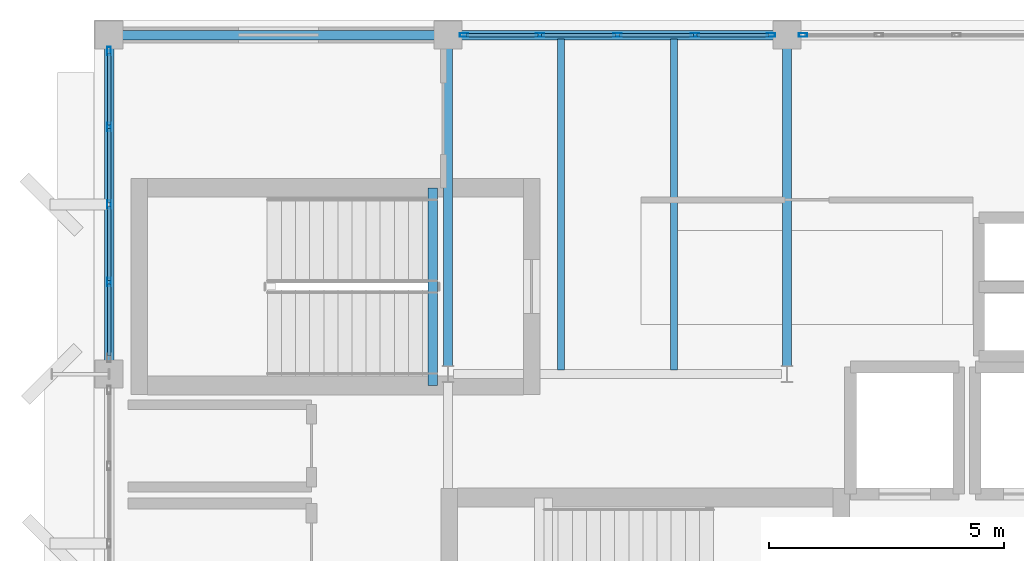
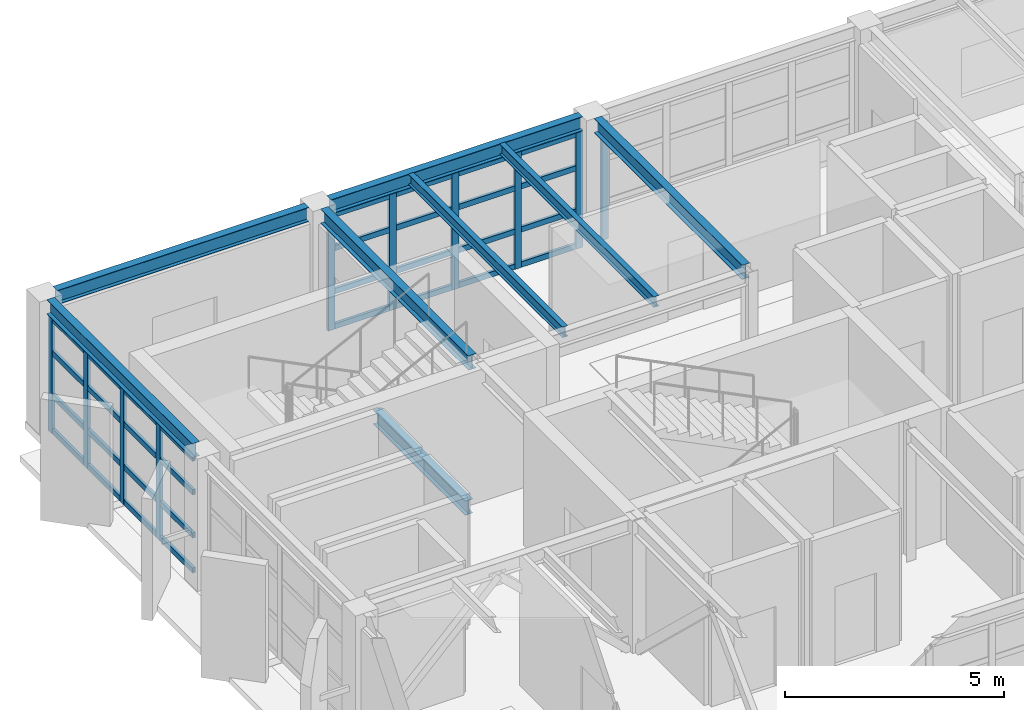
# One storey, part 7 of 15: 42 members, 8 beams, 3 elements without a shape of their own.
"""IFC4 building model written with IfcOpenShell, lengths in metres."""

from ifc_helpers import new_model, si_unit, direction, frame, origin, origin_2d, place, context, subcontext, project, spatial, hollow_rectangle, i_section, extrude, material, layer, layer_set, material_profile, profile_set, type_object, element, aggregate, save


model = new_model("IFC4")

# Units and contexts
model_context = context("Model", 3, precision=1e-05, world=origin(), true_north=direction((0.0, 1.0)))
body_context = subcontext(model_context, "Body", "Model", "MODEL_VIEW")
ifc_project = project(units=[si_unit("LENGTHUNIT", "METRE"), si_unit("AREAUNIT", "SQUARE_METRE"), si_unit("VOLUMEUNIT", "CUBIC_METRE"), si_unit("PLANEANGLEUNIT", "RADIAN"), si_unit("MASSUNIT", "GRAM", prefix="KILO")], contexts=[model_context])

# Site, building, storey
site_placement = place(None, origin())
site = spatial("IfcSite", under=ifc_project, at=site_placement, CompositionType="ELEMENT")
building_placement = place(site_placement, origin())
building = spatial("IfcBuilding", under=site, at=building_placement, Name="Kandorven Conservatory and Botanical Research Centre", CompositionType="ELEMENT")
storey_placement = place(building_placement, frame((0.0, 0.0, 48.300048828125)))
storey = spatial("IfcBuildingStorey", under=building, at=storey_placement, Name="L12", CompositionType="ELEMENT", Elevation=48.300048828125)

# Beams
ifc_material_1 = material(Name="Steel S355 (IS 2062 E350)", Category="steel")
ifc_material_profile_1 = material_profile(ifc_material_1, i_section(OverallWidth=0.199951171875, OverallDepth=0.39990234375, WebThickness=0.008544921875, FlangeThickness=0.012939453125, at=origin_2d()))
ifc_profile_set_1 = profile_set([ifc_material_profile_1], Name="Steel S355 (IS 2062 E350)")
beam_type_1 = type_object("IfcBeamType", Name="Beam_FG-03", PredefinedType="USERDEFINED", material=ifc_profile_set_1)
beam_1_placement = place(storey_placement, frame((6.2900390625, 27.60009765625, 3.47998046875), z_axis=(1.0, 0.0, 0.0), x_axis=(0.0, 1.0, 0.0)))
element("IfcBeam", 1, at=beam_1_placement, inside=storey, type_object=beam_type_1, Name="Primary girder FG-03 TWR L12", ObjectType="GIRDER", PredefinedType="USERDEFINED", context=body_context, shape_type="SweptSolid", body=[
    extrude(i_section(OverallWidth=0.199951171875, OverallDepth=0.39990234375, WebThickness=0.008544921875, FlangeThickness=0.012939453125, at=origin_2d()), origin(), (0.0, 0.0, 1.0), 6.619873046875),
])
for number, where, z_axis, x_axis, name in (
    (2, (13.489990234375, 27.60009765625, 3.47998046875), (1.0, 0.0, 0.0), (0.0, 1.0, 0.0), "Primary girder FG-03 TWR L12"),
    (3, (6.0, 20.68994140625, 3.47998046875), (0.0, 1.0, 0.0), (-1.0, 0.0, 0.0), "Primary girder FG-03 TWR L12"),
):
    element("IfcBeam", number, at=place(storey_placement, frame(where, z_axis=z_axis, x_axis=x_axis)), inside=storey, type_object=beam_type_1, Name=name, ObjectType="GIRDER", PredefinedType="USERDEFINED", context=body_context, shape_type="SweptSolid", body=[
        extrude(i_section(OverallWidth=0.199951171875, OverallDepth=0.39990234375, WebThickness=0.008544921875, FlangeThickness=0.012939453125, at=origin_2d()), origin(), (0.0, 0.0, 1.0), 6.6201171875),
    ])
for number, where, z_axis, x_axis, name in (
    (4, (13.199951171875, 20.56494140625, 3.47998046875), (0.0, 1.0, 0.0), (-1.0, 0.0, 0.0), "Primary girder FG-03 TWR L12"),
    (5, (20.39990234375, 20.56494140625, 3.47998046875), (0.0, 1.0, 0.0), (-1.0, 0.0, 0.0), "Primary girder FG-03 TWR L12"),
):
    element("IfcBeam", number, at=place(storey_placement, frame(where, z_axis=z_axis, x_axis=x_axis)), inside=storey, type_object=beam_type_1, Name=name, ObjectType="GIRDER", PredefinedType="USERDEFINED", context=body_context, shape_type="SweptSolid", body=[
        extrude(i_section(OverallWidth=0.199951171875, OverallDepth=0.39990234375, WebThickness=0.008544921875, FlangeThickness=0.012939453125, at=origin_2d()), origin(), (0.0, 0.0, 1.0), 6.7451171875),
    ])
beam_2_placement = place(storey_placement, frame((12.8798828125, 24.35009765625, -0.199951171875), z_axis=(0.0, -1.0, 0.0), x_axis=(1.0, 0.0, 0.0)))
element("IfcBeam", 6, at=beam_2_placement, inside=storey, type_object=beam_type_1, Name="Stair well bottom trimmer girder FG-03 ST-T2 L12", ObjectType="GIRDER", PredefinedType="USERDEFINED", context=body_context, shape_type="SweptSolid", body=[
    extrude(i_section(OverallWidth=0.199951171875, OverallDepth=0.39990234375, WebThickness=0.008544921875, FlangeThickness=0.012939453125, at=origin_2d()), origin(), (0.0, 0.0, 1.0), 4.190185546875),
])
ifc_material_2 = material(Name="Steel S355 (IS 2062 E350)", Category="steel")
ifc_material_profile_2 = material_profile(ifc_material_2, i_section(OverallWidth=0.139892578125, OverallDepth=0.300048828125, WebThickness=0.0078125, FlangeThickness=0.01318359375, at=origin_2d()))
ifc_profile_set_2 = profile_set([ifc_material_profile_2], Name="Steel S355 (IS 2062 E350)")
beam_type_2 = type_object("IfcBeamType", Name="Beam_SB-07", PredefinedType="BEAM", material=ifc_profile_set_2)
for number, where, z_axis, x_axis, name in (
    (7, (15.60009765625, 20.485107421875, 3.530029296875), (0.0, 1.0, 0.0), (-1.0, 0.0, 0.0), "Composite secondary beam SB-07 TWR L12"),
    (8, (18.0, 20.485107421875, 3.530029296875), (0.0, 1.0, 0.0), (-1.0, 0.0, 0.0), "Composite secondary beam SB-07 TWR L12"),
):
    element("IfcBeam", number, at=place(storey_placement, frame(where, z_axis=z_axis, x_axis=x_axis)), inside=storey, type_object=beam_type_2, Name=name, PredefinedType="BEAM", context=body_context, shape_type="SweptSolid", body=[
        extrude(i_section(OverallWidth=0.139892578125, OverallDepth=0.300048828125, WebThickness=0.0078125, FlangeThickness=0.01318359375, at=origin_2d()), origin(), (0.0, 0.0, 1.0), 7.02978515625),
    ])

# Curtain wall, members
ifc_material_3 = material(Name="Bronze anodised thermally broken aluminium", Category="aluminium")
ifc_layer = layer(ifc_material_3, 0.179931640625)
ifc_layer_set = layer_set([ifc_layer], Name="Bronze anodised thermally broken aluminium")
curtain_wall_type = type_object("IfcCurtainWallType", Name="CW_Unitised", PredefinedType="USERDEFINED", material=ifc_layer_set)
curtain_wall_1_placement = place(storey_placement, origin())
curtain_wall_1 = element("IfcCurtainWall", 9, at=curtain_wall_1_placement, inside=storey, type_object=curtain_wall_type, Name="Tower laboratory curtain wall CW-TWR-N-L12-2", ObjectType="UNITISED GLAZING", PredefinedType="USERDEFINED")
ifc_material_4 = material(Name="Bronze anodised thermally broken aluminium", Category="aluminium")
ifc_material_profile_3 = material_profile(ifc_material_4, hollow_rectangle(XDim=0.080078125, YDim=0.179931640625, WallThickness=0.006103515625, at=origin_2d()))
ifc_profile_set_3 = profile_set([ifc_material_profile_3], Name="Bronze anodised thermally broken aluminium")
member_type_1 = type_object("IfcMemberType", Name="CW_Mullion", PredefinedType="MULLION", material=ifc_profile_set_3)
member_1_placement = place(storey_placement, frame((13.5400390625, 27.60009765625, 0.0), z_axis=(0.0, 0.0, 1.0), x_axis=(0.0, 1.0, 0.0)))
member_1 = element("IfcMember", 10, at=member_1_placement, type_object=member_type_1, Name="CW-01 mullion 1", PredefinedType="MULLION", context=body_context, shape_type="SweptSolid", body=[
    extrude(hollow_rectangle(XDim=0.080078125, YDim=0.179931640625, WallThickness=0.006103515625, at=origin_2d()), origin(), (0.0, 0.0, 1.0), 3.260009765625),
])
member_2_placement = place(storey_placement, frame((15.14990234375, 27.60009765625, 0.0), z_axis=(0.0, 0.0, 1.0), x_axis=(0.0, 1.0, 0.0)))
member_2 = element("IfcMember", 11, at=member_2_placement, type_object=member_type_1, Name="CW-01 mullion 2", PredefinedType="MULLION", context=body_context, shape_type="SweptSolid", body=[
    extrude(hollow_rectangle(XDim=0.080078125, YDim=0.179931640625, WallThickness=0.006103515625, at=origin_2d()), origin(), (0.0, 0.0, 1.0), 3.260009765625),
])
member_3_placement = place(storey_placement, frame((16.800048828125, 27.60009765625, 0.0), z_axis=(0.0, 0.0, 1.0), x_axis=(0.0, 1.0, 0.0)))
member_3 = element("IfcMember", 12, at=member_3_placement, type_object=member_type_1, Name="CW-01 mullion 3", PredefinedType="MULLION", context=body_context, shape_type="SweptSolid", body=[
    extrude(hollow_rectangle(XDim=0.080078125, YDim=0.179931640625, WallThickness=0.006103515625, at=origin_2d()), origin(), (0.0, 0.0, 1.0), 3.260009765625),
])
member_4_placement = place(storey_placement, frame((18.449951171875, 27.60009765625, 0.0), z_axis=(0.0, 0.0, 1.0), x_axis=(0.0, 1.0, 0.0)))
member_4 = element("IfcMember", 13, at=member_4_placement, type_object=member_type_1, Name="CW-01 mullion 4", PredefinedType="MULLION", context=body_context, shape_type="SweptSolid", body=[
    extrude(hollow_rectangle(XDim=0.080078125, YDim=0.179931640625, WallThickness=0.006103515625, at=origin_2d()), origin(), (0.0, 0.0, 1.0), 3.260009765625),
])
member_5_placement = place(storey_placement, frame((20.06005859375, 27.60009765625, 0.0), z_axis=(0.0, 0.0, 1.0), x_axis=(0.0, 1.0, 0.0)))
member_5 = element("IfcMember", 14, at=member_5_placement, type_object=member_type_1, Name="CW-01 mullion 5", PredefinedType="MULLION", context=body_context, shape_type="SweptSolid", body=[
    extrude(hollow_rectangle(XDim=0.080078125, YDim=0.179931640625, WallThickness=0.006103515625, at=origin_2d()), origin(), (0.0, 0.0, 1.0), 3.260009765625),
])

# Curtain wall, member
curtain_wall_2_placement = place(storey_placement, origin())
curtain_wall_2 = element("IfcCurtainWall", 15, at=curtain_wall_2_placement, inside=storey, type_object=curtain_wall_type, Name="Tower laboratory curtain wall CW-TWR-N-L12-3", ObjectType="UNITISED GLAZING", PredefinedType="USERDEFINED")
member_6_placement = place(storey_placement, frame((20.739990234375, 27.60009765625, 0.0), z_axis=(0.0, 0.0, 1.0), x_axis=(0.0, 1.0, 0.0)))
member_6 = element("IfcMember", 16, at=member_6_placement, type_object=member_type_1, Name="CW-01 mullion 1", PredefinedType="MULLION", context=body_context, shape_type="SweptSolid", body=[
    extrude(hollow_rectangle(XDim=0.080078125, YDim=0.179931640625, WallThickness=0.006103515625, at=origin_2d()), origin(), (0.0, 0.0, 1.0), 3.260009765625),
])
aggregate(curtain_wall_2, [member_6])

# Curtain wall, members
curtain_wall_3_placement = place(storey_placement, origin())
curtain_wall_3 = element("IfcCurtainWall", 17, at=curtain_wall_3_placement, inside=storey, type_object=curtain_wall_type, Name="Tower laboratory curtain wall CW-TWR-W-L12-3", ObjectType="UNITISED GLAZING", PredefinedType="USERDEFINED")
member_7_placement = place(storey_placement, frame((6.0, 22.35009765625, 0.0), z_axis=(0.0, 0.0, 1.0), x_axis=(-1.0, 0.0, 0.0)))
member_7 = element("IfcMember", 18, at=member_7_placement, type_object=member_type_1, Name="CW-01 mullion 2", PredefinedType="MULLION", context=body_context, shape_type="SweptSolid", body=[
    extrude(hollow_rectangle(XDim=0.080078125, YDim=0.179931640625, WallThickness=0.006103515625, at=origin_2d()), origin(), (0.0, 0.0, 1.0), 3.260009765625),
])
member_8_placement = place(storey_placement, frame((6.0, 24.0, 0.0), z_axis=(0.0, 0.0, 1.0), x_axis=(-1.0, 0.0, 0.0)))
member_8 = element("IfcMember", 19, at=member_8_placement, type_object=member_type_1, Name="CW-01 mullion 3", PredefinedType="MULLION", context=body_context, shape_type="SweptSolid", body=[
    extrude(hollow_rectangle(XDim=0.080078125, YDim=0.179931640625, WallThickness=0.006103515625, at=origin_2d()), origin(), (0.0, 0.0, 1.0), 3.260009765625),
])
member_9_placement = place(storey_placement, frame((6.0, 25.64990234375, 0.0), z_axis=(0.0, 0.0, 1.0), x_axis=(-1.0, 0.0, 0.0)))
member_9 = element("IfcMember", 20, at=member_9_placement, type_object=member_type_1, Name="CW-01 mullion 4", PredefinedType="MULLION", context=body_context, shape_type="SweptSolid", body=[
    extrude(hollow_rectangle(XDim=0.080078125, YDim=0.179931640625, WallThickness=0.006103515625, at=origin_2d()), origin(), (0.0, 0.0, 1.0), 3.260009765625),
])
member_10_placement = place(storey_placement, frame((6.0, 27.260009765625, 0.0), z_axis=(0.0, 0.0, 1.0), x_axis=(-1.0, 0.0, 0.0)))
member_10 = element("IfcMember", 21, at=member_10_placement, type_object=member_type_1, Name="CW-01 mullion 5", PredefinedType="MULLION", context=body_context, shape_type="SweptSolid", body=[
    extrude(hollow_rectangle(XDim=0.080078125, YDim=0.179931640625, WallThickness=0.006103515625, at=origin_2d()), origin(), (0.0, 0.0, 1.0), 3.260009765625),
])

# Member
ifc_material_5 = material(Name="Bronze anodised thermally broken aluminium", Category="aluminium")
ifc_material_profile_4 = material_profile(ifc_material_5, hollow_rectangle(XDim=0.074951171875, YDim=0.14990234375, WallThickness=0.006103515625, at=origin_2d()))
ifc_profile_set_4 = profile_set([ifc_material_profile_4], Name="Bronze anodised thermally broken aluminium")
member_type_2 = type_object("IfcMemberType", Name="CW_Transom", PredefinedType="USERDEFINED", material=ifc_profile_set_4)
member_11_placement = place(storey_placement, frame((13.580078125, 27.60009765625, 0.074951171875), z_axis=(1.0, 0.0, 0.0), x_axis=(0.0, 1.0, 0.0)))
member_11 = element("IfcMember", 22, at=member_11_placement, type_object=member_type_2, Name="CW-01 transom 1.1", ObjectType="TRANSOM", PredefinedType="USERDEFINED", context=body_context, shape_type="SweptSolid", body=[
    extrude(hollow_rectangle(XDim=0.074951171875, YDim=0.14990234375, WallThickness=0.006103515625, at=origin_2d()), origin(), (0.0, 0.0, 1.0), 1.530029296875),
])

member_12_placement = place(storey_placement, frame((13.580078125, 27.60009765625, 1.050048828125), z_axis=(1.0, 0.0, 0.0), x_axis=(0.0, 1.0, 0.0)))
member_12 = element("IfcMember", 23, at=member_12_placement, type_object=member_type_2, Name="CW-01 transom 1.2", ObjectType="TRANSOM", PredefinedType="USERDEFINED", context=body_context, shape_type="SweptSolid", body=[
    extrude(hollow_rectangle(XDim=0.074951171875, YDim=0.14990234375, WallThickness=0.006103515625, at=origin_2d()), origin(), (0.0, 0.0, 1.0), 1.530029296875),
])

member_13_placement = place(storey_placement, frame((13.580078125, 27.60009765625, 2.25), z_axis=(1.0, 0.0, 0.0), x_axis=(0.0, 1.0, 0.0)))
member_13 = element("IfcMember", 24, at=member_13_placement, type_object=member_type_2, Name="CW-01 transom 1.3", ObjectType="TRANSOM", PredefinedType="USERDEFINED", context=body_context, shape_type="SweptSolid", body=[
    extrude(hollow_rectangle(XDim=0.074951171875, YDim=0.14990234375, WallThickness=0.006103515625, at=origin_2d()), origin(), (0.0, 0.0, 1.0), 1.530029296875),
])

member_14_placement = place(storey_placement, frame((13.580078125, 27.60009765625, 3.18505859375), z_axis=(1.0, 0.0, 0.0), x_axis=(0.0, 1.0, 0.0)))
member_14 = element("IfcMember", 25, at=member_14_placement, type_object=member_type_2, Name="CW-01 transom 1.4", ObjectType="TRANSOM", PredefinedType="USERDEFINED", context=body_context, shape_type="SweptSolid", body=[
    extrude(hollow_rectangle(XDim=0.074951171875, YDim=0.14990234375, WallThickness=0.006103515625, at=origin_2d()), origin(), (0.0, 0.0, 1.0), 1.530029296875),
])

member_15_placement = place(storey_placement, frame((15.18994140625, 27.60009765625, 0.074951171875), z_axis=(1.0, 0.0, 0.0), x_axis=(0.0, 1.0, 0.0)))
member_15 = element("IfcMember", 26, at=member_15_placement, type_object=member_type_2, Name="CW-01 transom 2.1", ObjectType="TRANSOM", PredefinedType="USERDEFINED", context=body_context, shape_type="SweptSolid", body=[
    extrude(hollow_rectangle(XDim=0.074951171875, YDim=0.14990234375, WallThickness=0.006103515625, at=origin_2d()), origin(), (0.0, 0.0, 1.0), 1.570068359375),
])

member_16_placement = place(storey_placement, frame((15.18994140625, 27.60009765625, 1.050048828125), z_axis=(1.0, 0.0, 0.0), x_axis=(0.0, 1.0, 0.0)))
member_16 = element("IfcMember", 27, at=member_16_placement, type_object=member_type_2, Name="CW-01 transom 2.2", ObjectType="TRANSOM", PredefinedType="USERDEFINED", context=body_context, shape_type="SweptSolid", body=[
    extrude(hollow_rectangle(XDim=0.074951171875, YDim=0.14990234375, WallThickness=0.006103515625, at=origin_2d()), origin(), (0.0, 0.0, 1.0), 1.570068359375),
])

member_17_placement = place(storey_placement, frame((15.18994140625, 27.60009765625, 2.25), z_axis=(1.0, 0.0, 0.0), x_axis=(0.0, 1.0, 0.0)))
member_17 = element("IfcMember", 28, at=member_17_placement, type_object=member_type_2, Name="CW-01 transom 2.3", ObjectType="TRANSOM", PredefinedType="USERDEFINED", context=body_context, shape_type="SweptSolid", body=[
    extrude(hollow_rectangle(XDim=0.074951171875, YDim=0.14990234375, WallThickness=0.006103515625, at=origin_2d()), origin(), (0.0, 0.0, 1.0), 1.570068359375),
])

member_18_placement = place(storey_placement, frame((15.18994140625, 27.60009765625, 3.18505859375), z_axis=(1.0, 0.0, 0.0), x_axis=(0.0, 1.0, 0.0)))
member_18 = element("IfcMember", 29, at=member_18_placement, type_object=member_type_2, Name="CW-01 transom 2.4", ObjectType="TRANSOM", PredefinedType="USERDEFINED", context=body_context, shape_type="SweptSolid", body=[
    extrude(hollow_rectangle(XDim=0.074951171875, YDim=0.14990234375, WallThickness=0.006103515625, at=origin_2d()), origin(), (0.0, 0.0, 1.0), 1.570068359375),
])

member_19_placement = place(storey_placement, frame((16.840087890625, 27.60009765625, 0.074951171875), z_axis=(1.0, 0.0, 0.0), x_axis=(0.0, 1.0, 0.0)))
member_19 = element("IfcMember", 30, at=member_19_placement, type_object=member_type_2, Name="CW-01 transom 3.1", ObjectType="TRANSOM", PredefinedType="USERDEFINED", context=body_context, shape_type="SweptSolid", body=[
    extrude(hollow_rectangle(XDim=0.074951171875, YDim=0.14990234375, WallThickness=0.006103515625, at=origin_2d()), origin(), (0.0, 0.0, 1.0), 1.56982421875),
])

member_20_placement = place(storey_placement, frame((16.840087890625, 27.60009765625, 1.050048828125), z_axis=(1.0, 0.0, 0.0), x_axis=(0.0, 1.0, 0.0)))
member_20 = element("IfcMember", 31, at=member_20_placement, type_object=member_type_2, Name="CW-01 transom 3.2", ObjectType="TRANSOM", PredefinedType="USERDEFINED", context=body_context, shape_type="SweptSolid", body=[
    extrude(hollow_rectangle(XDim=0.074951171875, YDim=0.14990234375, WallThickness=0.006103515625, at=origin_2d()), origin(), (0.0, 0.0, 1.0), 1.56982421875),
])

member_21_placement = place(storey_placement, frame((16.840087890625, 27.60009765625, 2.25), z_axis=(1.0, 0.0, 0.0), x_axis=(0.0, 1.0, 0.0)))
member_21 = element("IfcMember", 32, at=member_21_placement, type_object=member_type_2, Name="CW-01 transom 3.3", ObjectType="TRANSOM", PredefinedType="USERDEFINED", context=body_context, shape_type="SweptSolid", body=[
    extrude(hollow_rectangle(XDim=0.074951171875, YDim=0.14990234375, WallThickness=0.006103515625, at=origin_2d()), origin(), (0.0, 0.0, 1.0), 1.56982421875),
])

member_22_placement = place(storey_placement, frame((16.840087890625, 27.60009765625, 3.18505859375), z_axis=(1.0, 0.0, 0.0), x_axis=(0.0, 1.0, 0.0)))
member_22 = element("IfcMember", 33, at=member_22_placement, type_object=member_type_2, Name="CW-01 transom 3.4", ObjectType="TRANSOM", PredefinedType="USERDEFINED", context=body_context, shape_type="SweptSolid", body=[
    extrude(hollow_rectangle(XDim=0.074951171875, YDim=0.14990234375, WallThickness=0.006103515625, at=origin_2d()), origin(), (0.0, 0.0, 1.0), 1.56982421875),
])

member_23_placement = place(storey_placement, frame((18.489990234375, 27.60009765625, 0.074951171875), z_axis=(1.0, 0.0, 0.0), x_axis=(0.0, 1.0, 0.0)))
member_23 = element("IfcMember", 34, at=member_23_placement, type_object=member_type_2, Name="CW-01 transom 4.1", ObjectType="TRANSOM", PredefinedType="USERDEFINED", context=body_context, shape_type="SweptSolid", body=[
    extrude(hollow_rectangle(XDim=0.074951171875, YDim=0.14990234375, WallThickness=0.006103515625, at=origin_2d()), origin(), (0.0, 0.0, 1.0), 1.530029296875),
])

member_24_placement = place(storey_placement, frame((18.489990234375, 27.60009765625, 1.050048828125), z_axis=(1.0, 0.0, 0.0), x_axis=(0.0, 1.0, 0.0)))
member_24 = element("IfcMember", 35, at=member_24_placement, type_object=member_type_2, Name="CW-01 transom 4.2", ObjectType="TRANSOM", PredefinedType="USERDEFINED", context=body_context, shape_type="SweptSolid", body=[
    extrude(hollow_rectangle(XDim=0.074951171875, YDim=0.14990234375, WallThickness=0.006103515625, at=origin_2d()), origin(), (0.0, 0.0, 1.0), 1.530029296875),
])

member_25_placement = place(storey_placement, frame((18.489990234375, 27.60009765625, 2.25), z_axis=(1.0, 0.0, 0.0), x_axis=(0.0, 1.0, 0.0)))
member_25 = element("IfcMember", 36, at=member_25_placement, type_object=member_type_2, Name="CW-01 transom 4.3", ObjectType="TRANSOM", PredefinedType="USERDEFINED", context=body_context, shape_type="SweptSolid", body=[
    extrude(hollow_rectangle(XDim=0.074951171875, YDim=0.14990234375, WallThickness=0.006103515625, at=origin_2d()), origin(), (0.0, 0.0, 1.0), 1.530029296875),
])

member_26_placement = place(storey_placement, frame((18.489990234375, 27.60009765625, 3.18505859375), z_axis=(1.0, 0.0, 0.0), x_axis=(0.0, 1.0, 0.0)))
member_26 = element("IfcMember", 37, at=member_26_placement, type_object=member_type_2, Name="CW-01 transom 4.4", ObjectType="TRANSOM", PredefinedType="USERDEFINED", context=body_context, shape_type="SweptSolid", body=[
    extrude(hollow_rectangle(XDim=0.074951171875, YDim=0.14990234375, WallThickness=0.006103515625, at=origin_2d()), origin(), (0.0, 0.0, 1.0), 1.530029296875),
])

aggregate(curtain_wall_1, [member_1, member_2, member_3, member_4, member_5, member_11, member_12, member_13, member_14, member_15, member_16, member_17, member_18, member_19, member_20, member_21, member_22, member_23, member_24, member_25, member_26])

member_27_placement = place(storey_placement, frame((6.0, 20.780029296875, 0.074951171875), z_axis=(0.0, 1.0, 0.0), x_axis=(-1.0, 0.0, 0.0)))
member_27 = element("IfcMember", 38, at=member_27_placement, type_object=member_type_2, Name="CW-01 transom 1.1", ObjectType="TRANSOM", PredefinedType="USERDEFINED", context=body_context, shape_type="SweptSolid", body=[
    extrude(hollow_rectangle(XDim=0.074951171875, YDim=0.14990234375, WallThickness=0.006103515625, at=origin_2d()), origin(), (0.0, 0.0, 1.0), 1.530029296875),
])

member_28_placement = place(storey_placement, frame((6.0, 20.780029296875, 1.050048828125), z_axis=(0.0, 1.0, 0.0), x_axis=(-1.0, 0.0, 0.0)))
member_28 = element("IfcMember", 39, at=member_28_placement, type_object=member_type_2, Name="CW-01 transom 1.2", ObjectType="TRANSOM", PredefinedType="USERDEFINED", context=body_context, shape_type="SweptSolid", body=[
    extrude(hollow_rectangle(XDim=0.074951171875, YDim=0.14990234375, WallThickness=0.006103515625, at=origin_2d()), origin(), (0.0, 0.0, 1.0), 1.530029296875),
])

member_29_placement = place(storey_placement, frame((6.0, 20.780029296875, 2.25), z_axis=(0.0, 1.0, 0.0), x_axis=(-1.0, 0.0, 0.0)))
member_29 = element("IfcMember", 40, at=member_29_placement, type_object=member_type_2, Name="CW-01 transom 1.3", ObjectType="TRANSOM", PredefinedType="USERDEFINED", context=body_context, shape_type="SweptSolid", body=[
    extrude(hollow_rectangle(XDim=0.074951171875, YDim=0.14990234375, WallThickness=0.006103515625, at=origin_2d()), origin(), (0.0, 0.0, 1.0), 1.530029296875),
])

member_30_placement = place(storey_placement, frame((6.0, 20.780029296875, 3.18505859375), z_axis=(0.0, 1.0, 0.0), x_axis=(-1.0, 0.0, 0.0)))
member_30 = element("IfcMember", 41, at=member_30_placement, type_object=member_type_2, Name="CW-01 transom 1.4", ObjectType="TRANSOM", PredefinedType="USERDEFINED", context=body_context, shape_type="SweptSolid", body=[
    extrude(hollow_rectangle(XDim=0.074951171875, YDim=0.14990234375, WallThickness=0.006103515625, at=origin_2d()), origin(), (0.0, 0.0, 1.0), 1.530029296875),
])

member_31_placement = place(storey_placement, frame((6.0, 22.389892578125, 0.074951171875), z_axis=(0.0, 1.0, 0.0), x_axis=(-1.0, 0.0, 0.0)))
member_31 = element("IfcMember", 42, at=member_31_placement, type_object=member_type_2, Name="CW-01 transom 2.1", ObjectType="TRANSOM", PredefinedType="USERDEFINED", context=body_context, shape_type="SweptSolid", body=[
    extrude(hollow_rectangle(XDim=0.074951171875, YDim=0.14990234375, WallThickness=0.006103515625, at=origin_2d()), origin(), (0.0, 0.0, 1.0), 1.570068359375),
])

member_32_placement = place(storey_placement, frame((6.0, 22.389892578125, 1.050048828125), z_axis=(0.0, 1.0, 0.0), x_axis=(-1.0, 0.0, 0.0)))
member_32 = element("IfcMember", 43, at=member_32_placement, type_object=member_type_2, Name="CW-01 transom 2.2", ObjectType="TRANSOM", PredefinedType="USERDEFINED", context=body_context, shape_type="SweptSolid", body=[
    extrude(hollow_rectangle(XDim=0.074951171875, YDim=0.14990234375, WallThickness=0.006103515625, at=origin_2d()), origin(), (0.0, 0.0, 1.0), 1.570068359375),
])

member_33_placement = place(storey_placement, frame((6.0, 22.389892578125, 2.25), z_axis=(0.0, 1.0, 0.0), x_axis=(-1.0, 0.0, 0.0)))
member_33 = element("IfcMember", 44, at=member_33_placement, type_object=member_type_2, Name="CW-01 transom 2.3", ObjectType="TRANSOM", PredefinedType="USERDEFINED", context=body_context, shape_type="SweptSolid", body=[
    extrude(hollow_rectangle(XDim=0.074951171875, YDim=0.14990234375, WallThickness=0.006103515625, at=origin_2d()), origin(), (0.0, 0.0, 1.0), 1.570068359375),
])

member_34_placement = place(storey_placement, frame((6.0, 22.389892578125, 3.18505859375), z_axis=(0.0, 1.0, 0.0), x_axis=(-1.0, 0.0, 0.0)))
member_34 = element("IfcMember", 45, at=member_34_placement, type_object=member_type_2, Name="CW-01 transom 2.4", ObjectType="TRANSOM", PredefinedType="USERDEFINED", context=body_context, shape_type="SweptSolid", body=[
    extrude(hollow_rectangle(XDim=0.074951171875, YDim=0.14990234375, WallThickness=0.006103515625, at=origin_2d()), origin(), (0.0, 0.0, 1.0), 1.570068359375),
])

member_35_placement = place(storey_placement, frame((6.0, 24.0400390625, 0.074951171875), z_axis=(0.0, 1.0, 0.0), x_axis=(-1.0, 0.0, 0.0)))
member_35 = element("IfcMember", 46, at=member_35_placement, type_object=member_type_2, Name="CW-01 transom 3.1", ObjectType="TRANSOM", PredefinedType="USERDEFINED", context=body_context, shape_type="SweptSolid", body=[
    extrude(hollow_rectangle(XDim=0.074951171875, YDim=0.14990234375, WallThickness=0.006103515625, at=origin_2d()), origin(), (0.0, 0.0, 1.0), 1.570068359375),
])

member_36_placement = place(storey_placement, frame((6.0, 24.0400390625, 1.050048828125), z_axis=(0.0, 1.0, 0.0), x_axis=(-1.0, 0.0, 0.0)))
member_36 = element("IfcMember", 47, at=member_36_placement, type_object=member_type_2, Name="CW-01 transom 3.2", ObjectType="TRANSOM", PredefinedType="USERDEFINED", context=body_context, shape_type="SweptSolid", body=[
    extrude(hollow_rectangle(XDim=0.074951171875, YDim=0.14990234375, WallThickness=0.006103515625, at=origin_2d()), origin(), (0.0, 0.0, 1.0), 1.570068359375),
])

member_37_placement = place(storey_placement, frame((6.0, 24.0400390625, 2.25), z_axis=(0.0, 1.0, 0.0), x_axis=(-1.0, 0.0, 0.0)))
member_37 = element("IfcMember", 48, at=member_37_placement, type_object=member_type_2, Name="CW-01 transom 3.3", ObjectType="TRANSOM", PredefinedType="USERDEFINED", context=body_context, shape_type="SweptSolid", body=[
    extrude(hollow_rectangle(XDim=0.074951171875, YDim=0.14990234375, WallThickness=0.006103515625, at=origin_2d()), origin(), (0.0, 0.0, 1.0), 1.570068359375),
])

member_38_placement = place(storey_placement, frame((6.0, 24.0400390625, 3.18505859375), z_axis=(0.0, 1.0, 0.0), x_axis=(-1.0, 0.0, 0.0)))
member_38 = element("IfcMember", 49, at=member_38_placement, type_object=member_type_2, Name="CW-01 transom 3.4", ObjectType="TRANSOM", PredefinedType="USERDEFINED", context=body_context, shape_type="SweptSolid", body=[
    extrude(hollow_rectangle(XDim=0.074951171875, YDim=0.14990234375, WallThickness=0.006103515625, at=origin_2d()), origin(), (0.0, 0.0, 1.0), 1.570068359375),
])

member_39_placement = place(storey_placement, frame((6.0, 25.68994140625, 0.074951171875), z_axis=(0.0, 1.0, 0.0), x_axis=(-1.0, 0.0, 0.0)))
member_39 = element("IfcMember", 50, at=member_39_placement, type_object=member_type_2, Name="CW-01 transom 4.1", ObjectType="TRANSOM", PredefinedType="USERDEFINED", context=body_context, shape_type="SweptSolid", body=[
    extrude(hollow_rectangle(XDim=0.074951171875, YDim=0.14990234375, WallThickness=0.006103515625, at=origin_2d()), origin(), (0.0, 0.0, 1.0), 1.530029296875),
])

member_40_placement = place(storey_placement, frame((6.0, 25.68994140625, 1.050048828125), z_axis=(0.0, 1.0, 0.0), x_axis=(-1.0, 0.0, 0.0)))
member_40 = element("IfcMember", 51, at=member_40_placement, type_object=member_type_2, Name="CW-01 transom 4.2", ObjectType="TRANSOM", PredefinedType="USERDEFINED", context=body_context, shape_type="SweptSolid", body=[
    extrude(hollow_rectangle(XDim=0.074951171875, YDim=0.14990234375, WallThickness=0.006103515625, at=origin_2d()), origin(), (0.0, 0.0, 1.0), 1.530029296875),
])

member_41_placement = place(storey_placement, frame((6.0, 25.68994140625, 2.25), z_axis=(0.0, 1.0, 0.0), x_axis=(-1.0, 0.0, 0.0)))
member_41 = element("IfcMember", 52, at=member_41_placement, type_object=member_type_2, Name="CW-01 transom 4.3", ObjectType="TRANSOM", PredefinedType="USERDEFINED", context=body_context, shape_type="SweptSolid", body=[
    extrude(hollow_rectangle(XDim=0.074951171875, YDim=0.14990234375, WallThickness=0.006103515625, at=origin_2d()), origin(), (0.0, 0.0, 1.0), 1.530029296875),
])

member_42_placement = place(storey_placement, frame((6.0, 25.68994140625, 3.18505859375), z_axis=(0.0, 1.0, 0.0), x_axis=(-1.0, 0.0, 0.0)))
member_42 = element("IfcMember", 53, at=member_42_placement, type_object=member_type_2, Name="CW-01 transom 4.4", ObjectType="TRANSOM", PredefinedType="USERDEFINED", context=body_context, shape_type="SweptSolid", body=[
    extrude(hollow_rectangle(XDim=0.074951171875, YDim=0.14990234375, WallThickness=0.006103515625, at=origin_2d()), origin(), (0.0, 0.0, 1.0), 1.530029296875),
])

aggregate(curtain_wall_3, [member_7, member_8, member_9, member_10, member_27, member_28, member_29, member_30, member_31, member_32, member_33, member_34, member_35, member_36, member_37, member_38, member_39, member_40, member_41, member_42])

save(model, "model.ifc")
